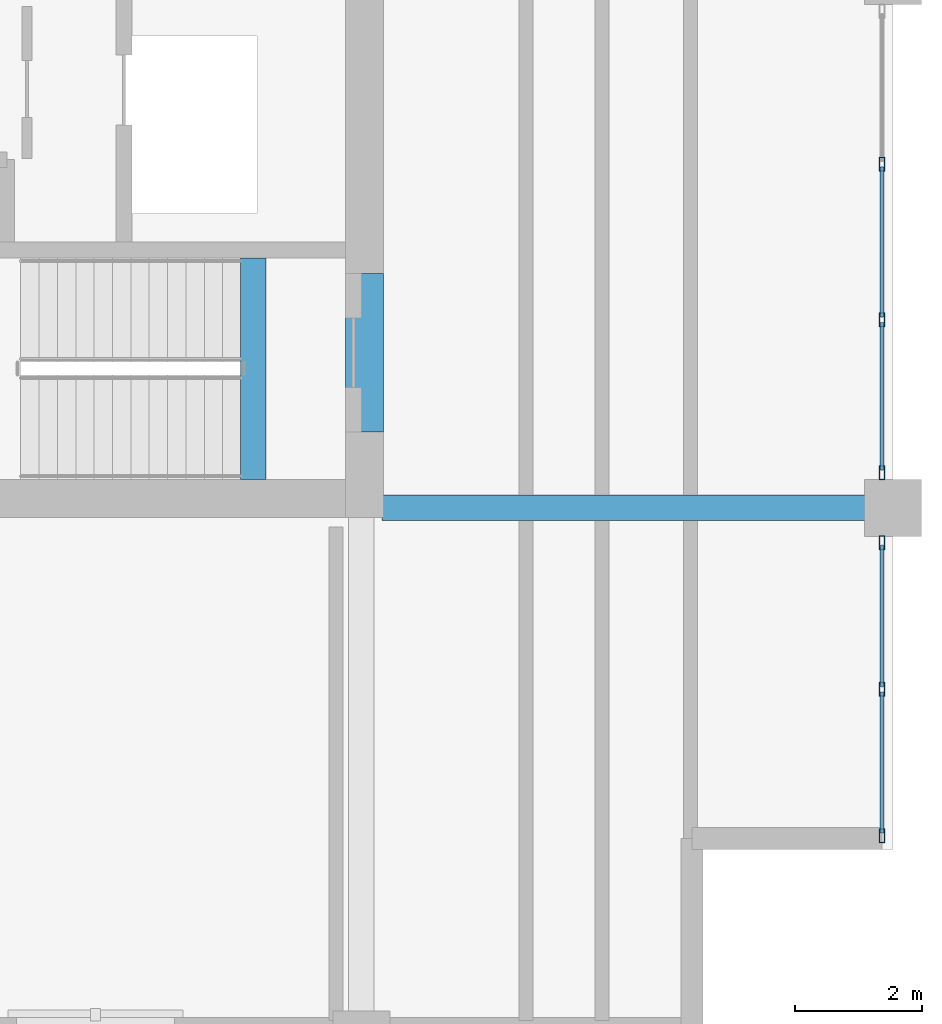
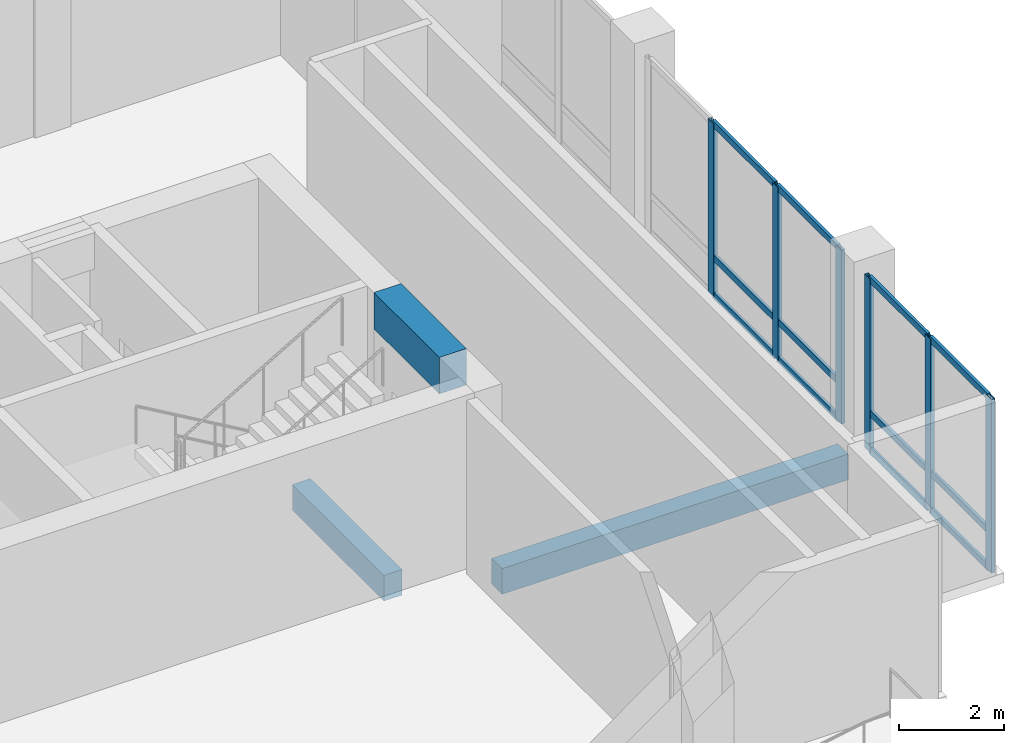
# One storey, part 2 of 15: 18 members, 3 beams, 2 elements without a shape of their own.
"""IFC4 building model written with IfcOpenShell, lengths in metres."""

from ifc_helpers import new_model, si_unit, direction, frame, origin, origin_2d, place, context, subcontext, project, spatial, rectangle, hollow_rectangle, extrude, material, layer, layer_set, material_profile, profile_set, type_object, element, aggregate, save


model = new_model("IFC4")

# Units and contexts
model_context = context("Model", 3, precision=1e-05, world=origin(), true_north=direction((0.0, 1.0)))
body_context = subcontext(model_context, "Body", "Model", "MODEL_VIEW")
ifc_project = project(units=[si_unit("LENGTHUNIT", "METRE"), si_unit("AREAUNIT", "SQUARE_METRE"), si_unit("VOLUMEUNIT", "CUBIC_METRE"), si_unit("PLANEANGLEUNIT", "RADIAN"), si_unit("MASSUNIT", "GRAM", prefix="KILO")], contexts=[model_context])

# Site, building, storey
site_placement = place(None, origin())
site = spatial("IfcSite", under=ifc_project, at=site_placement, CompositionType="ELEMENT")
building_placement = place(site_placement, origin())
building = spatial("IfcBuilding", under=site, at=building_placement, Name="Koriwani Terraces Tower", CompositionType="ELEMENT")
storey_placement = place(building_placement, frame((0.0, 0.0, 290.39990234375)))
storey = spatial("IfcBuildingStorey", under=building, at=storey_placement, Name="L72", CompositionType="ELEMENT", Elevation=290.39990234375)

# Beams
ifc_material_1 = material(Name="Concrete C50/60", Category="concrete")
ifc_material_profile_1 = material_profile(ifc_material_1, rectangle(XDim=0.60009765625, YDim=0.85009765625, at=origin_2d()), Name="Concrete C50/60", Category="LoadBearing")
ifc_profile_set_1 = profile_set([ifc_material_profile_1], Name="Concrete C50/60")
beam_type_1 = type_object("IfcBeamType", Name="BEAM_RC_COUPLING_600X850", PredefinedType="LINTEL", material=ifc_profile_set_1)
beam_1_placement = place(storey_placement, frame((58.85009765625, 18.0, 3.625), z_axis=(0.0, 1.0, 0.0), x_axis=(-1.0, 0.0, 0.0)))
element("IfcBeam", 1, at=beam_1_placement, inside=storey, type_object=beam_type_1, Name="L72 Core Coupling Lintel Beam EE", PredefinedType="LINTEL", context=body_context, shape_type="SweptSolid", body=[
    extrude(rectangle(XDim=0.60009765625, YDim=0.85009765625, at=origin_2d()), origin(), (0.0, 0.0, 1.0), 2.5),
])
ifc_material_2 = material(Name="Concrete C40/50", Category="concrete")
ifc_material_profile_2 = material_profile(ifc_material_2, rectangle(XDim=0.39990234375, YDim=0.60009765625, at=origin_2d()), Name="Concrete C40/50", Category="LoadBearing")
ifc_profile_set_2 = profile_set([ifc_material_profile_2], Name="Concrete C40/50")
beam_type_2 = type_object("IfcBeamType", Name="BEAM_RC_GRID_400X600", PredefinedType="BEAM", material=ifc_profile_set_2)
beam_2_placement = place(storey_placement, frame((57.094970703125, 17.25, -0.2998046875), z_axis=(0.0, 1.0, 0.0), x_axis=(-1.0, 0.0, 0.0)))
element("IfcBeam", 2, at=beam_2_placement, inside=storey, type_object=beam_type_2, Name="L72 Stairwell Header Trimmer Beam ST-E2", PredefinedType="BEAM", context=body_context, shape_type="SweptSolid", body=[
    extrude(rectangle(XDim=0.39990234375, YDim=0.60009765625, at=origin_2d()), origin(), (0.0, 0.0, 1.0), 3.5),
])
beam_3_placement = place(storey_placement, frame((59.1298828125, 16.800048828125, -0.52978515625), z_axis=(1.0, 0.0, 0.0), x_axis=(0.0, 1.0, 0.0)))
element("IfcBeam", 3, at=beam_3_placement, inside=storey, type_object=beam_type_2, Name="L72 Grid Beam C (58.8-67.2m)", PredefinedType="BEAM", context=body_context, shape_type="SweptSolid", body=[
    extrude(rectangle(XDim=0.39990234375, YDim=0.60009765625, at=origin_2d()), origin(), (0.0, 0.0, 1.0), 7.64013671875),
])

# Curtain wall, members
ifc_material_3 = material(Name="Anodised Bronze Aluminium", Category="aluminium")
ifc_layer = layer(ifc_material_3, 0.219970703125, Name="Anodised Bronze Aluminium")
ifc_layer_set = layer_set([ifc_layer], Name="Anodised Bronze Aluminium")
curtain_wall_type = type_object("IfcCurtainWallType", Name="CW_SKY_LOUNGE", PredefinedType="NOTDEFINED", material=ifc_layer_set)
curtain_wall_1_placement = place(storey_placement, origin())
curtain_wall_1 = element("IfcCurtainWall", 4, at=curtain_wall_1_placement, inside=storey, type_object=curtain_wall_type, Name="L72 Unitised Curtain Wall (E_TIP) Bay 2", PredefinedType="NOTDEFINED")
ifc_material_profile_3 = material_profile(ifc_material_3, hollow_rectangle(XDim=0.0849609375, YDim=0.219970703125, WallThickness=0.008056640625, at=origin_2d()), Name="Anodised Bronze Aluminium", Category="LoadBearing")
ifc_profile_set_3 = profile_set([ifc_material_profile_3], Name="Anodised Bronze Aluminium")
member_type_1 = type_object("IfcMemberType", Name="CW_MULLION_220X85", PredefinedType="MULLION", material=ifc_profile_set_3)
member_1_placement = place(storey_placement, frame((67.02490234375, 22.22998046875, 0.0), z_axis=(0.0, 0.0, 1.0), x_axis=(1.0, 0.0, 0.0)))
member_1 = element("IfcMember", 5, at=member_1_placement, type_object=member_type_1, Name="CW-SKY mullion 2", PredefinedType="MULLION", context=body_context, shape_type="SweptSolid", body=[
    extrude(hollow_rectangle(XDim=0.0849609375, YDim=0.219970703125, WallThickness=0.008056640625, at=origin_2d()), origin(), (0.0, 0.0, 1.0), 4.050048828125),
])
member_2_placement = place(storey_placement, frame((67.02490234375, 19.77001953125, 0.0), z_axis=(0.0, 0.0, 1.0), x_axis=(1.0, 0.0, 0.0)))
member_2 = element("IfcMember", 6, at=member_2_placement, type_object=member_type_1, Name="CW-SKY mullion 3", PredefinedType="MULLION", context=body_context, shape_type="SweptSolid", body=[
    extrude(hollow_rectangle(XDim=0.0849609375, YDim=0.219970703125, WallThickness=0.008056640625, at=origin_2d()), origin(), (0.0, 0.0, 1.0), 4.050048828125),
])
member_3_placement = place(storey_placement, frame((67.02490234375, 17.3525390625, 0.0), z_axis=(0.0, 0.0, 1.0), x_axis=(1.0, 0.0, 0.0)))
member_3 = element("IfcMember", 7, at=member_3_placement, type_object=member_type_1, Name="CW-SKY mullion 4", PredefinedType="MULLION", context=body_context, shape_type="SweptSolid", body=[
    extrude(hollow_rectangle(XDim=0.0849609375, YDim=0.219970703125, WallThickness=0.008056640625, at=origin_2d()), origin(), (0.0, 0.0, 1.0), 4.050048828125),
])

curtain_wall_2_placement = place(storey_placement, origin())
curtain_wall_2 = element("IfcCurtainWall", 8, at=curtain_wall_2_placement, inside=storey, type_object=curtain_wall_type, Name="L72 Unitised Curtain Wall (E_TIP) Bay 3", PredefinedType="NOTDEFINED")
member_4_placement = place(storey_placement, frame((67.02490234375, 16.24755859375, 0.0), z_axis=(0.0, 0.0, 1.0), x_axis=(1.0, 0.0, 0.0)))
member_4 = element("IfcMember", 9, at=member_4_placement, type_object=member_type_1, Name="CW-SKY mullion 1", PredefinedType="MULLION", context=body_context, shape_type="SweptSolid", body=[
    extrude(hollow_rectangle(XDim=0.0849609375, YDim=0.219970703125, WallThickness=0.008056640625, at=origin_2d()), origin(), (0.0, 0.0, 1.0), 4.050048828125),
])
member_5_placement = place(storey_placement, frame((67.02490234375, 13.9326171875, 0.0), z_axis=(0.0, 0.0, 1.0), x_axis=(1.0, 0.0, 0.0)))
member_5 = element("IfcMember", 10, at=member_5_placement, type_object=member_type_1, Name="CW-SKY mullion 2", PredefinedType="MULLION", context=body_context, shape_type="SweptSolid", body=[
    extrude(hollow_rectangle(XDim=0.0849609375, YDim=0.219970703125, WallThickness=0.008056640625, at=origin_2d()), origin(), (0.0, 0.0, 1.0), 4.050048828125),
])
member_6_placement = place(storey_placement, frame((67.02490234375, 11.617431640625, 0.0), z_axis=(0.0, 0.0, 1.0), x_axis=(1.0, 0.0, 0.0)))
member_6 = element("IfcMember", 11, at=member_6_placement, type_object=member_type_1, Name="CW-SKY mullion 3", PredefinedType="MULLION", context=body_context, shape_type="SweptSolid", body=[
    extrude(hollow_rectangle(XDim=0.0849609375, YDim=0.219970703125, WallThickness=0.008056640625, at=origin_2d()), origin(), (0.0, 0.0, 1.0), 4.050048828125),
])

# Member
ifc_material_profile_4 = material_profile(ifc_material_3, hollow_rectangle(XDim=0.06494140625, YDim=0.14990234375, WallThickness=0.0048828125, at=origin_2d()), Name="Anodised Bronze Aluminium", Category="LoadBearing")
ifc_profile_set_4 = profile_set([ifc_material_profile_4], Name="Anodised Bronze Aluminium")
member_type_2 = type_object("IfcMemberType", Name="CW_TRANSOM_150X65", PredefinedType="USERDEFINED", material=ifc_profile_set_4)
member_7_placement = place(storey_placement, frame((67.02490234375, 22.1875, 0.03271484375), z_axis=(0.0, -1.0, 0.0), x_axis=(1.0, 0.0, 0.0)))
member_7 = element("IfcMember", 12, at=member_7_placement, type_object=member_type_2, Name="CW-SKY transom 2.1", ObjectType="TRANSOM", PredefinedType="USERDEFINED", context=body_context, shape_type="SweptSolid", body=[
    extrude(hollow_rectangle(XDim=0.06494140625, YDim=0.14990234375, WallThickness=0.0048828125, at=origin_2d()), origin(), (0.0, 0.0, 1.0), 2.375),
])

member_8_placement = place(storey_placement, frame((67.02490234375, 22.1875, 0.900146484375), z_axis=(0.0, -1.0, 0.0), x_axis=(1.0, 0.0, 0.0)))
member_8 = element("IfcMember", 13, at=member_8_placement, type_object=member_type_2, Name="CW-SKY transom 2.2", ObjectType="TRANSOM", PredefinedType="USERDEFINED", context=body_context, shape_type="SweptSolid", body=[
    extrude(hollow_rectangle(XDim=0.06494140625, YDim=0.14990234375, WallThickness=0.0048828125, at=origin_2d()), origin(), (0.0, 0.0, 1.0), 2.375),
])

member_9_placement = place(storey_placement, frame((67.02490234375, 22.1875, 4.017578125), z_axis=(0.0, -1.0, 0.0), x_axis=(1.0, 0.0, 0.0)))
member_9 = element("IfcMember", 14, at=member_9_placement, type_object=member_type_2, Name="CW-SKY transom 2.3", ObjectType="TRANSOM", PredefinedType="USERDEFINED", context=body_context, shape_type="SweptSolid", body=[
    extrude(hollow_rectangle(XDim=0.06494140625, YDim=0.14990234375, WallThickness=0.0048828125, at=origin_2d()), origin(), (0.0, 0.0, 1.0), 2.375),
])

member_10_placement = place(storey_placement, frame((67.02490234375, 19.7275390625, 0.03271484375), z_axis=(0.0, -1.0, 0.0), x_axis=(1.0, 0.0, 0.0)))
member_10 = element("IfcMember", 15, at=member_10_placement, type_object=member_type_2, Name="CW-SKY transom 3.1", ObjectType="TRANSOM", PredefinedType="USERDEFINED", context=body_context, shape_type="SweptSolid", body=[
    extrude(hollow_rectangle(XDim=0.06494140625, YDim=0.14990234375, WallThickness=0.0048828125, at=origin_2d()), origin(), (0.0, 0.0, 1.0), 2.33251953125),
])

member_11_placement = place(storey_placement, frame((67.02490234375, 19.7275390625, 0.900146484375), z_axis=(0.0, -1.0, 0.0), x_axis=(1.0, 0.0, 0.0)))
member_11 = element("IfcMember", 16, at=member_11_placement, type_object=member_type_2, Name="CW-SKY transom 3.2", ObjectType="TRANSOM", PredefinedType="USERDEFINED", context=body_context, shape_type="SweptSolid", body=[
    extrude(hollow_rectangle(XDim=0.06494140625, YDim=0.14990234375, WallThickness=0.0048828125, at=origin_2d()), origin(), (0.0, 0.0, 1.0), 2.33251953125),
])

member_12_placement = place(storey_placement, frame((67.02490234375, 19.7275390625, 4.017578125), z_axis=(0.0, -1.0, 0.0), x_axis=(1.0, 0.0, 0.0)))
member_12 = element("IfcMember", 17, at=member_12_placement, type_object=member_type_2, Name="CW-SKY transom 3.3", ObjectType="TRANSOM", PredefinedType="USERDEFINED", context=body_context, shape_type="SweptSolid", body=[
    extrude(hollow_rectangle(XDim=0.06494140625, YDim=0.14990234375, WallThickness=0.0048828125, at=origin_2d()), origin(), (0.0, 0.0, 1.0), 2.33251953125),
])

aggregate(curtain_wall_1, [member_1, member_2, member_3, member_7, member_8, member_9, member_10, member_11, member_12])

member_13_placement = place(storey_placement, frame((67.02490234375, 16.205078125, 0.03271484375), z_axis=(0.0, -1.0, 0.0), x_axis=(1.0, 0.0, 0.0)))
member_13 = element("IfcMember", 18, at=member_13_placement, type_object=member_type_2, Name="CW-SKY transom 1.1", ObjectType="TRANSOM", PredefinedType="USERDEFINED", context=body_context, shape_type="SweptSolid", body=[
    extrude(hollow_rectangle(XDim=0.06494140625, YDim=0.14990234375, WallThickness=0.0048828125, at=origin_2d()), origin(), (0.0, 0.0, 1.0), 2.22998046875),
])

member_14_placement = place(storey_placement, frame((67.02490234375, 16.205078125, 0.900146484375), z_axis=(0.0, -1.0, 0.0), x_axis=(1.0, 0.0, 0.0)))
member_14 = element("IfcMember", 19, at=member_14_placement, type_object=member_type_2, Name="CW-SKY transom 1.2", ObjectType="TRANSOM", PredefinedType="USERDEFINED", context=body_context, shape_type="SweptSolid", body=[
    extrude(hollow_rectangle(XDim=0.06494140625, YDim=0.14990234375, WallThickness=0.0048828125, at=origin_2d()), origin(), (0.0, 0.0, 1.0), 2.22998046875),
])

member_15_placement = place(storey_placement, frame((67.02490234375, 16.205078125, 4.017578125), z_axis=(0.0, -1.0, 0.0), x_axis=(1.0, 0.0, 0.0)))
member_15 = element("IfcMember", 20, at=member_15_placement, type_object=member_type_2, Name="CW-SKY transom 1.3", ObjectType="TRANSOM", PredefinedType="USERDEFINED", context=body_context, shape_type="SweptSolid", body=[
    extrude(hollow_rectangle(XDim=0.06494140625, YDim=0.14990234375, WallThickness=0.0048828125, at=origin_2d()), origin(), (0.0, 0.0, 1.0), 2.22998046875),
])

member_16_placement = place(storey_placement, frame((67.02490234375, 13.889892578125, 0.03271484375), z_axis=(0.0, -1.0, 0.0), x_axis=(1.0, 0.0, 0.0)))
member_16 = element("IfcMember", 21, at=member_16_placement, type_object=member_type_2, Name="CW-SKY transom 2.1", ObjectType="TRANSOM", PredefinedType="USERDEFINED", context=body_context, shape_type="SweptSolid", body=[
    extrude(hollow_rectangle(XDim=0.06494140625, YDim=0.14990234375, WallThickness=0.0048828125, at=origin_2d()), origin(), (0.0, 0.0, 1.0), 2.22998046875),
])

member_17_placement = place(storey_placement, frame((67.02490234375, 13.889892578125, 0.900146484375), z_axis=(0.0, -1.0, 0.0), x_axis=(1.0, 0.0, 0.0)))
member_17 = element("IfcMember", 22, at=member_17_placement, type_object=member_type_2, Name="CW-SKY transom 2.2", ObjectType="TRANSOM", PredefinedType="USERDEFINED", context=body_context, shape_type="SweptSolid", body=[
    extrude(hollow_rectangle(XDim=0.06494140625, YDim=0.14990234375, WallThickness=0.0048828125, at=origin_2d()), origin(), (0.0, 0.0, 1.0), 2.22998046875),
])

member_18_placement = place(storey_placement, frame((67.02490234375, 13.889892578125, 4.017578125), z_axis=(0.0, -1.0, 0.0), x_axis=(1.0, 0.0, 0.0)))
member_18 = element("IfcMember", 23, at=member_18_placement, type_object=member_type_2, Name="CW-SKY transom 2.3", ObjectType="TRANSOM", PredefinedType="USERDEFINED", context=body_context, shape_type="SweptSolid", body=[
    extrude(hollow_rectangle(XDim=0.06494140625, YDim=0.14990234375, WallThickness=0.0048828125, at=origin_2d()), origin(), (0.0, 0.0, 1.0), 2.22998046875),
])

aggregate(curtain_wall_2, [member_4, member_5, member_6, member_13, member_14, member_15, member_16, member_17, member_18])

save(model, "model.ifc")
